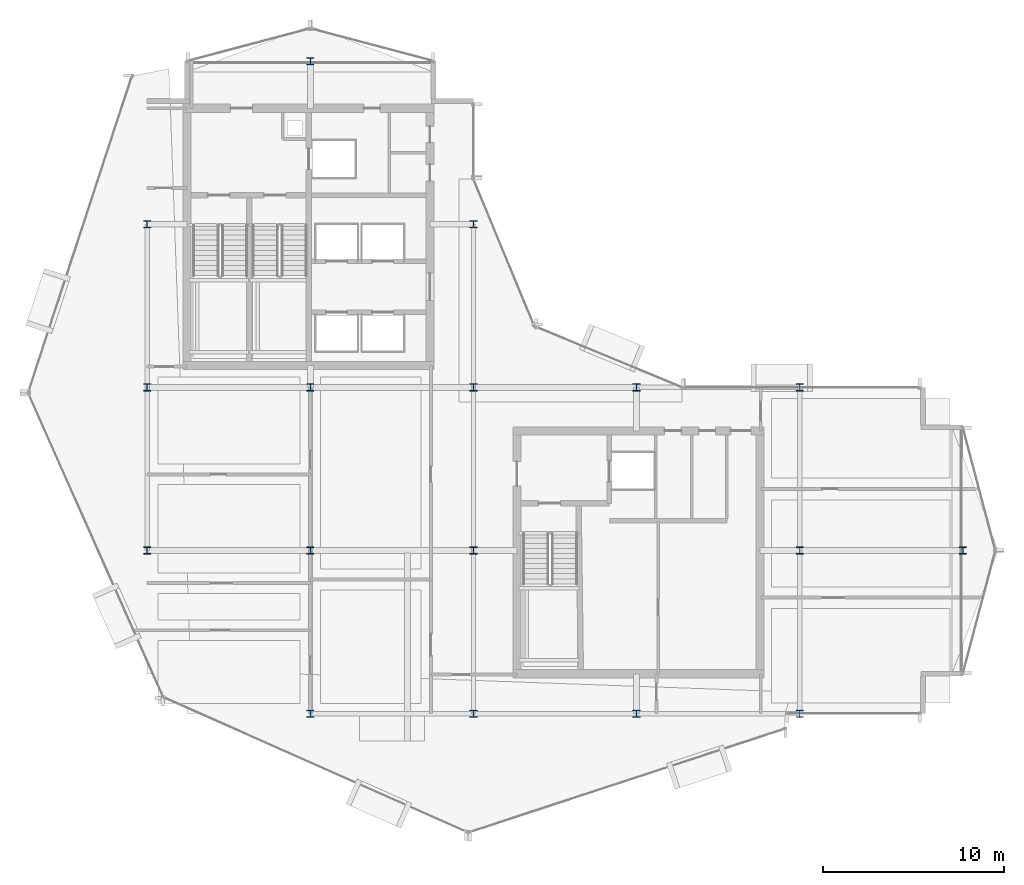
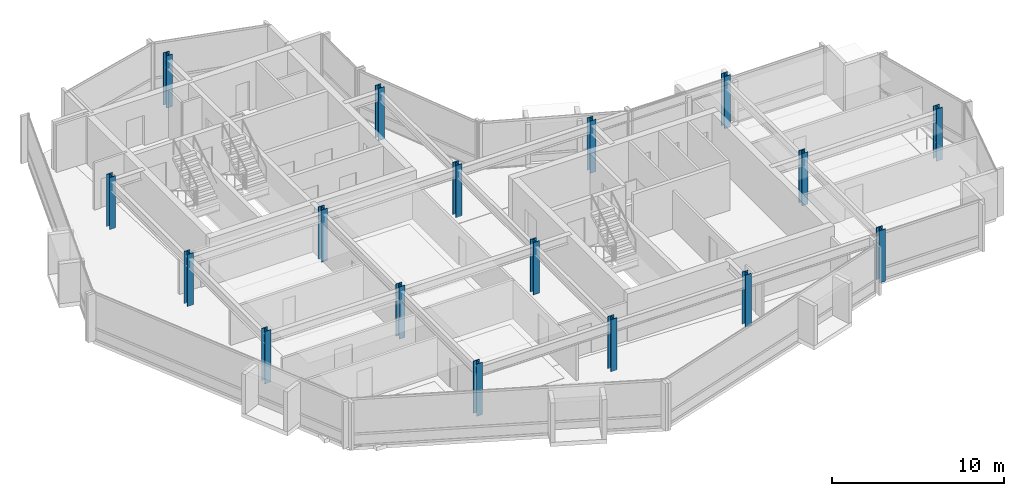
# One storey, part 1 of 27: 17 columns.
"""IFC4 building model written with IfcOpenShell, lengths in metres."""

from ifc_helpers import new_model, si_unit, direction, frame, origin, origin_2d, place, context, subcontext, project, spatial, i_section, extrude, material, material_profile, profile_set, type_object, element, save


model = new_model("IFC4")

# Units and contexts
model_context = context("Model", 3, precision=1e-05, world=origin(), true_north=direction((0.0, 1.0)))
body_context = subcontext(model_context, "Body", "Model", "MODEL_VIEW")
ifc_project = project(units=[si_unit("LENGTHUNIT", "METRE"), si_unit("AREAUNIT", "SQUARE_METRE"), si_unit("VOLUMEUNIT", "CUBIC_METRE"), si_unit("PLANEANGLEUNIT", "RADIAN"), si_unit("MASSUNIT", "GRAM", prefix="KILO")], contexts=[model_context])

# Site, building, storey
site_placement = place(None, origin())
site = spatial("IfcSite", under=ifc_project, at=site_placement, CompositionType="ELEMENT")
building_placement = place(site_placement, origin())
building = spatial("IfcBuilding", under=site, at=building_placement, Name="Solvaryn Broadcast Tower", CompositionType="ELEMENT")
storey_placement = place(building_placement, frame((0.0, 0.0, 232.10009765625)))
storey = spatial("IfcBuildingStorey", under=building, at=storey_placement, Name="L58", CompositionType="ELEMENT", Elevation=232.10009765625)

# Columns
ifc_material_1 = material(Name="Steel ASTM A913 Grade 65", Category="steel")
ifc_material_profile_1 = material_profile(ifc_material_1, i_section(OverallWidth=0.40087890625, OverallDepth=0.39892578125, WebThickness=0.02490234375, FlangeThickness=0.03955078125, FilletRadius=0.014892578125, at=origin_2d()))
ifc_profile_set_1 = profile_set([ifc_material_profile_1], Name="Steel ASTM A913 Grade 65")
column_type_1 = type_object("IfcColumnType", Name="COL-C08E-W14X211", PredefinedType="COLUMN", material=ifc_profile_set_1)
for number, where, z_axis, x_axis, name in (
    (1, (9.0, 18.0, 0.0), (0.0, 0.0, 1.0), (1.0, 0.0, 0.0), "L58 Column (9.0, 18.0)"),
    (2, (9.0, 27.0, 0.0), (0.0, 0.0, 1.0), (1.0, 0.0, 0.0), "L58 Column (9.0, 27.0)"),
    (3, (9.0, 36.0, 0.0), (0.0, 0.0, 1.0), (1.0, 0.0, 0.0), "L58 Column (9.0, 36.0)"),
    (4, (18.0, 9.0, 0.0), (0.0, 0.0, 1.0), (1.0, 0.0, 0.0), "L58 Column (18.0, 9.0)"),
    (5, (18.0, 45.0, 0.0), (0.0, 0.0, 1.0), (1.0, 0.0, 0.0), "L58 Column (18.0, 45.0)"),
    (6, (27.0, 9.0, 0.0), (0.0, 0.0, 1.0), (1.0, 0.0, 0.0), "L58 Column (27.0, 9.0)"),
    (7, (27.0, 36.0, 0.0), (0.0, 0.0, 1.0), (1.0, 0.0, 0.0), "L58 Column (27.0, 36.0)"),
    (8, (36.0, 9.0, 0.0), (0.0, 0.0, 1.0), (1.0, 0.0, 0.0), "L58 Column (36.0, 9.0)"),
    (9, (36.0, 27.0, 0.0), (0.0, 0.0, 1.0), (1.0, 0.0, 0.0), "L58 Column (36.0, 27.0)"),
    (10, (45.0, 9.0, 0.0), (0.0, 0.0, 1.0), (1.0, 0.0, 0.0), "L58 Column (45.0, 9.0)"),
    (11, (45.0, 27.0, 0.0), (0.0, 0.0, 1.0), (1.0, 0.0, 0.0), "L58 Column (45.0, 27.0)"),
    (12, (54.0, 18.0, 0.0), (0.0, 0.0, 1.0), (1.0, 0.0, 0.0), "L58 Column (54.0, 18.0)"),
):
    element("IfcColumn", number, at=place(storey_placement, frame(where, z_axis=z_axis, x_axis=x_axis)), inside=storey, type_object=column_type_1, Name=name, PredefinedType="COLUMN", context=body_context, shape_type="SweptSolid", body=[
        extrude(i_section(OverallWidth=0.40087890625, OverallDepth=0.39892578125, WebThickness=0.02490234375, FlangeThickness=0.03955078125, FilletRadius=0.014892578125, at=origin_2d()), origin(), (0.0, 0.0, 1.0), 3.699951171875),
    ])
ifc_material_2 = material(Name="Steel ASTM A913 Grade 65", Category="steel")
ifc_material_profile_2 = material_profile(ifc_material_2, i_section(OverallWidth=0.40087890625, OverallDepth=0.39892578125, WebThickness=0.02490234375, FlangeThickness=0.03955078125, FilletRadius=0.014892578125, at=origin_2d()))
ifc_profile_set_2 = profile_set([ifc_material_profile_2], Name="Steel ASTM A913 Grade 65")
column_type_2 = type_object("IfcColumnType", Name="COL-C08I-W14X211", PredefinedType="COLUMN", material=ifc_profile_set_2)
for number, where, z_axis, x_axis, name in (
    (13, (18.0, 18.0, 0.0), (0.0, 0.0, 1.0), (1.0, 0.0, 0.0), "L58 Column (18.0, 18.0)"),
    (14, (18.0, 27.0, 0.0), (0.0, 0.0, 1.0), (1.0, 0.0, 0.0), "L58 Column (18.0, 27.0)"),
    (15, (27.0, 18.0, 0.0), (0.0, 0.0, 1.0), (1.0, 0.0, 0.0), "L58 Column (27.0, 18.0)"),
    (16, (27.0, 27.0, 0.0), (0.0, 0.0, 1.0), (1.0, 0.0, 0.0), "L58 Column (27.0, 27.0)"),
    (17, (45.0, 18.0, 0.0), (0.0, 0.0, 1.0), (1.0, 0.0, 0.0), "L58 Column (45.0, 18.0)"),
):
    element("IfcColumn", number, at=place(storey_placement, frame(where, z_axis=z_axis, x_axis=x_axis)), inside=storey, type_object=column_type_2, Name=name, PredefinedType="COLUMN", context=body_context, shape_type="SweptSolid", body=[
        extrude(i_section(OverallWidth=0.40087890625, OverallDepth=0.39892578125, WebThickness=0.02490234375, FlangeThickness=0.03955078125, FilletRadius=0.014892578125, at=origin_2d()), origin(), (0.0, 0.0, 1.0), 3.699951171875),
    ])

save(model, "model.ifc")
